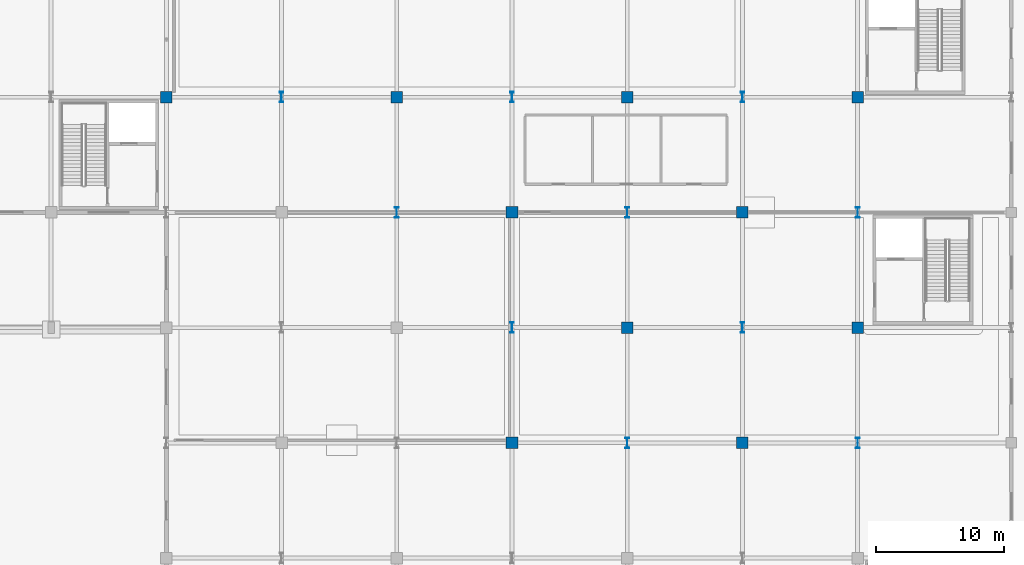
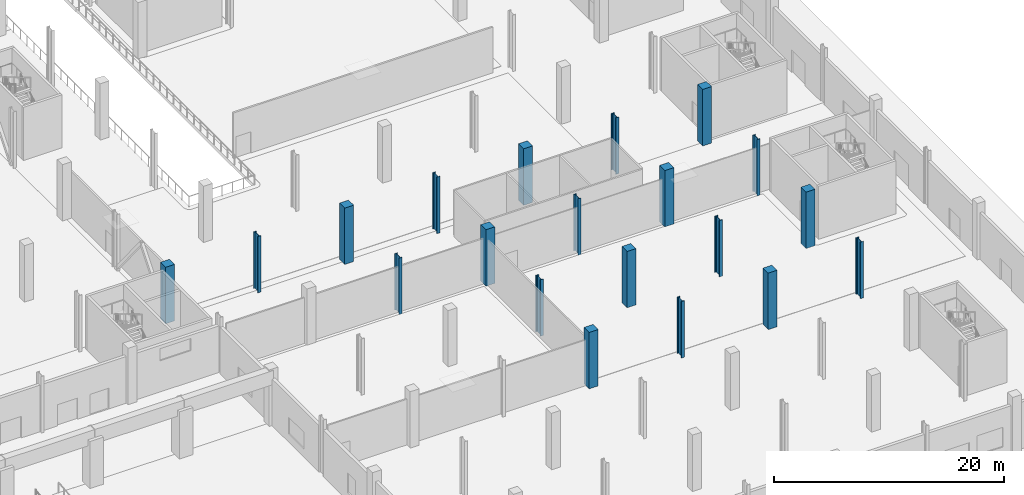
# One storey, part 10 of 58: 20 columns.
"""IFC4 building model written with IfcOpenShell, lengths in metres."""

import ifcopenshell
import ifcopenshell.guid

model = None  # the IFC model being written
_history = None  # IfcOwnerHistory: only IFC2X3 demands one
_inside = {}  # id of a spatial element -> (the spatial element, [elements in it])
_under = {}  # id of a project, library or spatial element -> (it, [spatial elements below it])
_declared = {}  # id of a project -> (the project, [libraries it declares])
_typed = {}  # id of a type object -> (the type object, [elements of that type])
_made_of = {}  # id of a material, layer set ... -> (it, [elements and type objects made of it])


def new_model(schema):
    """Start an empty IFC model of exactly this schema.

    Asked for "IFC4X3", IfcOpenShell would pick the latest addendum, in which some entities
    have other attributes; the version numbers below select the first issue.
    IFC2X3 requires an IfcOwnerHistory on every rooted entity: one is made here for all.
    """
    global model, _history
    if schema == "IFC4X3":
        model = ifcopenshell.file(schema_version=(4, 3, 0, 0))
    else:
        model = ifcopenshell.file(schema=schema)
    _inside.clear()
    _under.clear()
    _declared.clear()
    _typed.clear()
    _made_of.clear()
    _history = None
    if model.schema == "IFC2X3":
        org = make("IfcOrganization", Name="unknown")
        user = make(
            "IfcPersonAndOrganization",
            ThePerson=make("IfcPerson", FamilyName="unknown"),
            TheOrganization=org,
        )
        app = make(
            "IfcApplication",
            ApplicationDeveloper=org,
            Version="unknown",
            ApplicationFullName="unknown",
            ApplicationIdentifier="unknown",
        )
        _history = make(
            "IfcOwnerHistory",
            OwningUser=user,
            OwningApplication=app,
            ChangeAction="ADDED",
            CreationDate=0,
        )
    return model


def make(cls, **values):
    """One entity of the class cls with the attributes given. An attribute that is None is left unset."""
    return model.create_entity(
        cls, **{name: value for name, value in values.items() if value is not None}
    )


def rooted(cls, **values):
    """An entity with a GlobalId (a new one), such as an element, a storey or a relation."""
    return make(cls, GlobalId=ifcopenshell.guid.new(), OwnerHistory=_history, **values)


def si_unit(unit_type, name, prefix=None):
    """IfcSIUnit, for example si_unit("LENGTHUNIT", "METRE", prefix="MILLI")."""
    return make("IfcSIUnit", UnitType=unit_type, Prefix=prefix, Name=name)


def assignment(units):
    """IfcUnitAssignment: the units of a project."""
    return None if units is None else make("IfcUnitAssignment", Units=units)


def point(xyz):
    """IfcCartesianPoint."""
    return None if xyz is None else make("IfcCartesianPoint", Coordinates=xyz)


def direction(xyz):
    """IfcDirection."""
    return None if xyz is None else make("IfcDirection", DirectionRatios=xyz)


def frame(location, z_axis=None, x_axis=None):
    """IfcAxis2Placement3D, a coordinate frame: its origin and axes. An axis left out is left unset."""
    return make(
        "IfcAxis2Placement3D",
        Location=point(location),
        Axis=direction(z_axis),
        RefDirection=direction(x_axis),
    )


def frame_2d(location, x_axis=None):
    """IfcAxis2Placement2D, a coordinate frame in the plane: its origin and x axis."""
    return make(
        "IfcAxis2Placement2D", Location=point(location), RefDirection=direction(x_axis)
    )


def origin():
    """The frame at (0, 0, 0) with its axes left unset."""
    return frame((0.0, 0.0, 0.0))


def origin_2d():
    """The frame at (0, 0) in the plane with its x axis left unset."""
    return frame_2d((0.0, 0.0))


def place(relative_to, where):
    """IfcLocalPlacement: puts the frame where relative to a parent placement (None: the world)."""
    return make(
        "IfcLocalPlacement", PlacementRelTo=relative_to, RelativePlacement=where
    )


def context(
    kind, dimensions, precision=None, world=None, true_north=None, identifier=None
):
    """IfcGeometricRepresentationContext, for example the 3D "Model" context."""
    return make(
        "IfcGeometricRepresentationContext",
        ContextIdentifier=identifier,
        ContextType=kind,
        CoordinateSpaceDimension=dimensions,
        Precision=precision,
        WorldCoordinateSystem=world,
        TrueNorth=true_north,
    )


def subcontext(parent, identifier, kind, view, scale=None):
    """IfcGeometricRepresentationSubContext, for example "Body" below "Model"."""
    return make(
        "IfcGeometricRepresentationSubContext",
        ContextIdentifier=identifier,
        ContextType=kind,
        ParentContext=parent,
        TargetScale=scale,
        TargetView=view,
    )


def project(units=None, contexts=None):
    """IfcProject with its units and contexts."""
    return rooted(
        "IfcProject",
        Name="project",
        RepresentationContexts=contexts,
        UnitsInContext=assignment(units),
    )


def spatial(cls, under=None, at=None, **own):
    """A site, building, storey or space (cls), placed at a placement, below another one or the project."""
    s = rooted(cls, ObjectPlacement=at, **own)
    if under is not None:
        _under.setdefault(under.id(), (under, []))[1].append(s)
    return s


def profile(cls, at=None, kind="AREA", **sizes):
    """A parametric profile (cls). Its sizes go by their IFC names, for example OverallWidth=200.0."""
    return make(cls, ProfileType=kind, Position=at, **sizes)


def rectangle(**sizes):
    """IfcRectangleProfileDef."""
    return profile("IfcRectangleProfileDef", **sizes)


def i_section(**sizes):
    """IfcIShapeProfileDef."""
    return profile("IfcIShapeProfileDef", **sizes)


def extrude(swept, where, along, depth):
    """IfcExtrudedAreaSolid: the profile swept, set in the frame where, extruded along a direction by depth."""
    return make(
        "IfcExtrudedAreaSolid",
        SweptArea=swept,
        Position=where,
        ExtrudedDirection=direction(along),
        Depth=depth,
    )


def shape(context_of_items, identifier, shape_type, items):
    """IfcShapeRepresentation: the items that make up one representation, for example the "Body"."""
    return make(
        "IfcShapeRepresentation",
        ContextOfItems=context_of_items,
        RepresentationIdentifier=identifier,
        RepresentationType=shape_type,
        Items=items,
    )


def material(Name=None, Category=None):
    """IfcMaterial."""
    return make("IfcMaterial", Name=Name, Category=Category)


def material_profile(
    of_material, cross_section, Name=None, Category=None, Priority=None
):
    """IfcMaterialProfile: a cross section and its material."""
    return make(
        "IfcMaterialProfile",
        Name=Name,
        Material=of_material,
        Profile=cross_section,
        Priority=Priority,
        Category=Category,
    )


def profile_set(profiles, Name=None, composite=None):
    """IfcMaterialProfileSet."""
    return make(
        "IfcMaterialProfileSet",
        Name=Name,
        MaterialProfiles=profiles,
        CompositeProfile=composite,
    )


def made_of(thing, what):
    """Note that an element or type object is made of a material, layer set ...; save() writes the relation."""
    if what is not None:
        _made_of.setdefault(what.id(), (what, []))[1].append(thing)
    return thing


def type_object(cls, material=None, **own):
    """A type object (cls), such as IfcWallType, which elements share."""
    return made_of(rooted(cls, **own), material)


def element(
    cls,
    number,
    at=None,
    inside=None,
    cuts=None,
    type_object=None,
    material=None,
    context=None,
    identifier="Body",
    shape_type=None,
    held_by="IfcProductDefinitionShape",
    body=None,
    shapes=None,
    **own,
):
    """One element of the class cls, such as IfcWall. Its Tag is "e" and its number.

    at: its placement. inside: the storey or other place that contains it. cuts: it is an
    opening in that element (IfcRelVoidsElement). A single representation is given by context,
    identifier, shape_type and body (its items); several are given by shapes. held_by: the class
    of the entity that holds the representations. save() writes the other relations.
    """
    e = rooted(cls, Tag="e%d" % number, ObjectPlacement=at, **own)
    if body is not None:
        shapes = [shape(context, identifier, shape_type, body)]
    if shapes is not None:
        e.Representation = make(held_by, Representations=shapes)
    if inside is not None:
        _inside.setdefault(inside.id(), (inside, []))[1].append(e)
    if cuts is not None:
        rooted(
            "IfcRelVoidsElement", RelatingBuildingElement=cuts, RelatedOpeningElement=e
        )
    if type_object is not None:
        _typed.setdefault(type_object.id(), (type_object, []))[1].append(e)
    return made_of(e, material)


def aggregate(whole, parts):
    """IfcRelAggregates: a whole, such as a stair, and the parts it consists of."""
    return rooted("IfcRelAggregates", RelatingObject=whole, RelatedObjects=parts)


def save(model, path):
    """Write the relations noted so far, then the file.

    IfcRelAggregates (storeys below a building ...), IfcRelContainedInSpatialStructure (elements
    in a storey), IfcRelDefinesByType, IfcRelAssociatesMaterial and IfcRelDeclares: one each for
    every whole, place, type object, material and project.
    """
    for whole, parts in _under.values():
        aggregate(whole, parts)
    for where, things in _inside.values():
        rooted(
            "IfcRelContainedInSpatialStructure",
            RelatedElements=things,
            RelatingStructure=where,
        )
    for kind, things in _typed.values():
        rooted("IfcRelDefinesByType", RelatedObjects=things, RelatingType=kind)
    for what, things in _made_of.values():
        rooted("IfcRelAssociatesMaterial", RelatedObjects=things, RelatingMaterial=what)
    for by, libraries in _declared.values():
        rooted("IfcRelDeclares", RelatingContext=by, RelatedDefinitions=libraries)
    model.write(path)


model = new_model("IFC4")

# Units and contexts
model_context = context("Model", 3, precision=1e-05, world=origin(), true_north=direction((0.0, 1.0)))
body_context = subcontext(model_context, "Body", "Model", "MODEL_VIEW")
ifc_project = project(units=[si_unit("LENGTHUNIT", "METRE"), si_unit("AREAUNIT", "SQUARE_METRE"), si_unit("VOLUMEUNIT", "CUBIC_METRE"), si_unit("PLANEANGLEUNIT", "RADIAN"), si_unit("MASSUNIT", "GRAM", prefix="KILO")], contexts=[model_context])

# Site, building, storey
site_placement = place(None, origin())
site = spatial("IfcSite", under=ifc_project, at=site_placement, CompositionType="ELEMENT")
building_placement = place(site_placement, origin())
building = spatial("IfcBuilding", under=site, at=building_placement, Name="Barlavento Convention Centre", CompositionType="ELEMENT")
storey_placement = place(building_placement, origin())
storey = spatial("IfcBuildingStorey", under=building, at=storey_placement, Name="L00", CompositionType="ELEMENT", Elevation=0.0)

# Columns
ifc_material_1 = material(Name="Steel S460", Category="steel")
ifc_material_profile_1 = material_profile(ifc_material_1, i_section(OverallWidth=0.302978515625, OverallDepth=0.81396484375, WebThickness=0.02099609375, FlangeThickness=0.0400390625, FilletRadius=0.030029296875, at=origin_2d()), Name="HEM 800")
ifc_profile_set_1 = profile_set([ifc_material_profile_1], Name="Steel S460")
column_type_1 = type_object("IfcColumnType", Name="STR-COL-HEM800", PredefinedType="COLUMN", material=ifc_profile_set_1)
for number, where, z_axis, x_axis, name in (
    (1, (135.0, 54.0, 0.0), (0.0, 0.0, 1.0), (1.0, 0.0, 0.0), "L00 column SC02"),
    (2, (144.0, 45.0, 0.0), (0.0, 0.0, 1.0), (1.0, 0.0, 0.0), "L00 column SC02"),
    (3, (153.0, 36.0, 0.0), (0.0, 0.0, 1.0), (1.0, 0.0, 0.0), "L00 column SC02"),
    (4, (153.0, 54.0, 0.0), (0.0, 0.0, 1.0), (1.0, 0.0, 0.0), "L00 column SC02"),
    (5, (162.0, 27.0, 0.0), (0.0, 0.0, 1.0), (1.0, 0.0, 0.0), "L00 column SC02"),
    (6, (162.0, 45.0, 0.0), (0.0, 0.0, 1.0), (1.0, 0.0, 0.0), "L00 column SC02"),
    (7, (171.0, 36.0, 0.0), (0.0, 0.0, 1.0), (1.0, 0.0, 0.0), "L00 column SC02"),
    (8, (171.0, 54.0, 0.0), (0.0, 0.0, 1.0), (1.0, 0.0, 0.0), "L00 column SC02"),
    (9, (180.0, 27.0, 0.0), (0.0, 0.0, 1.0), (1.0, 0.0, 0.0), "L00 column SC02"),
    (10, (180.0, 45.0, 0.0), (0.0, 0.0, 1.0), (1.0, 0.0, 0.0), "L00 column SC02"),
):
    element("IfcColumn", number, at=place(storey_placement, frame(where, z_axis=z_axis, x_axis=x_axis)), inside=storey, type_object=column_type_1, Name=name, PredefinedType="COLUMN", context=body_context, shape_type="SweptSolid", body=[
        extrude(i_section(OverallWidth=0.302978515625, OverallDepth=0.81396484375, WebThickness=0.02099609375, FlangeThickness=0.0400390625, FilletRadius=0.030029296875, at=origin_2d()), origin(), (0.0, 0.0, 1.0), 6.0),
    ])
ifc_material_2 = material(Name="Concrete C50/60", Category="concrete")
ifc_material_profile_2 = material_profile(ifc_material_2, rectangle(XDim=0.89990234375, YDim=0.89990234375, at=origin_2d()), Name="RC 900x900")
ifc_profile_set_2 = profile_set([ifc_material_profile_2], Name="Concrete C50/60")
column_type_2 = type_object("IfcColumnType", Name="STR-COL-RC900", PredefinedType="COLUMN", material=ifc_profile_set_2)
for number, where, z_axis, x_axis, name in (
    (11, (126.0, 54.0, 0.0), (0.0, 0.0, 1.0), (1.0, 0.0, 0.0), "L00 column CC04"),
    (12, (144.0, 54.0, 0.0), (0.0, 0.0, 1.0), (1.0, 0.0, 0.0), "L00 column CC04"),
    (13, (153.0, 27.0, 0.0), (0.0, 0.0, 1.0), (1.0, 0.0, 0.0), "L00 column CC04"),
    (14, (153.0, 45.0, 0.0), (0.0, 0.0, 1.0), (1.0, 0.0, 0.0), "L00 column CC04"),
    (15, (162.0, 36.0, 0.0), (0.0, 0.0, 1.0), (1.0, 0.0, 0.0), "L00 column CC04"),
    (16, (162.0, 54.0, 0.0), (0.0, 0.0, 1.0), (1.0, 0.0, 0.0), "L00 column CC04"),
    (17, (171.0, 27.0, 0.0), (0.0, 0.0, 1.0), (1.0, 0.0, 0.0), "L00 column CC04"),
    (18, (171.0, 45.0, 0.0), (0.0, 0.0, 1.0), (1.0, 0.0, 0.0), "L00 column CC04"),
    (19, (180.0, 36.0, 0.0), (0.0, 0.0, 1.0), (1.0, 0.0, 0.0), "L00 column CC04"),
    (20, (180.0, 54.0, 0.0), (0.0, 0.0, 1.0), (1.0, 0.0, 0.0), "L00 column CC04"),
):
    element("IfcColumn", number, at=place(storey_placement, frame(where, z_axis=z_axis, x_axis=x_axis)), inside=storey, type_object=column_type_2, Name=name, PredefinedType="COLUMN", context=body_context, shape_type="SweptSolid", body=[
        extrude(rectangle(XDim=0.89990234375, YDim=0.89990234375, at=origin_2d()), origin(), (0.0, 0.0, 1.0), 6.0),
    ])

save(model, "model.ifc")
